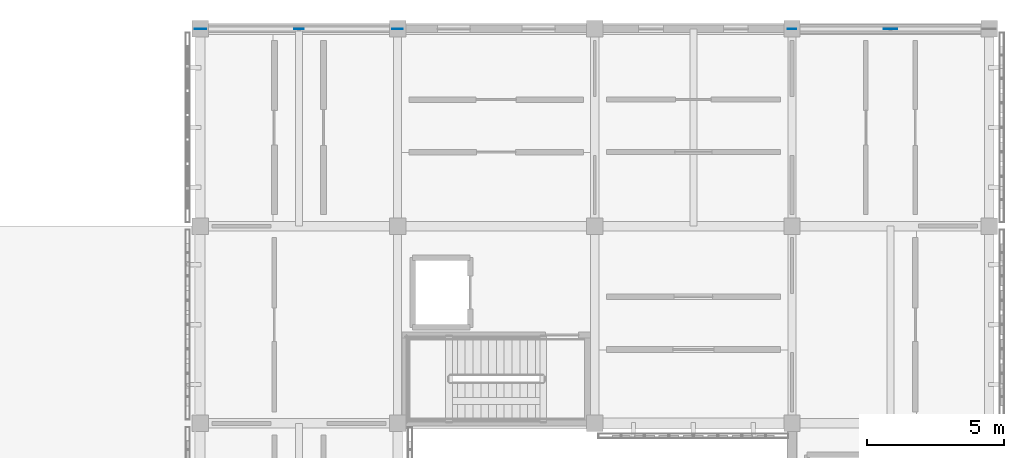
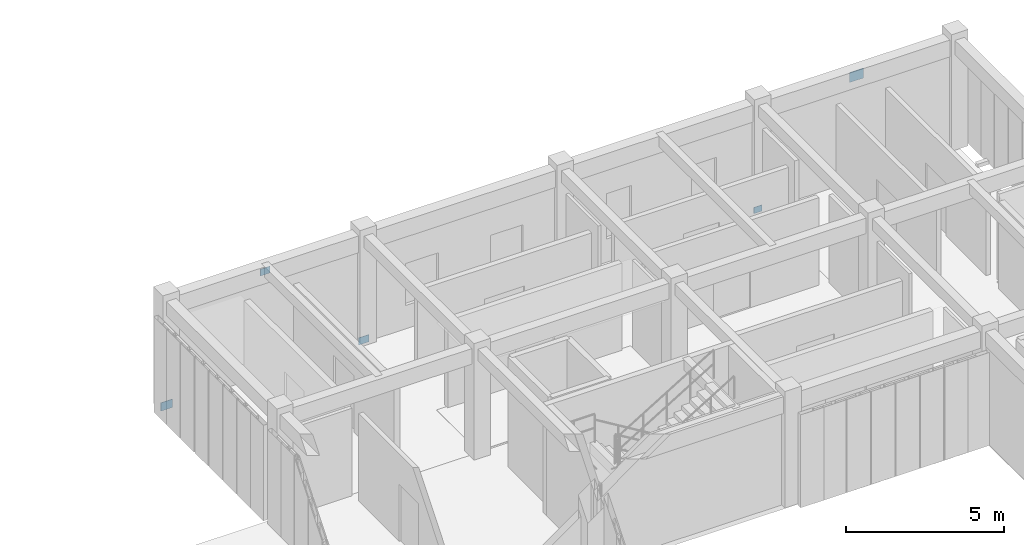
# One storey, part 66 of 91: 5 plates.
"""IFC4 building model written with IfcOpenShell, lengths in metres."""

from ifc_helpers import new_model, si_unit, direction, frame, origin, origin_2d, place, context, subcontext, project, spatial, rectangle, extrude, material, layer, layer_set, type_object, element, save


model = new_model("IFC4")

# Units and contexts
model_context = context("Model", 3, precision=1e-05, world=origin(), true_north=direction((0.0, 1.0)))
body_context = subcontext(model_context, "Body", "Model", "MODEL_VIEW")
ifc_project = project(units=[si_unit("LENGTHUNIT", "METRE"), si_unit("AREAUNIT", "SQUARE_METRE"), si_unit("VOLUMEUNIT", "CUBIC_METRE"), si_unit("PLANEANGLEUNIT", "RADIAN"), si_unit("MASSUNIT", "GRAM", prefix="KILO")], contexts=[model_context])

# Site, building, storey
site_placement = place(None, origin())
site = spatial("IfcSite", under=ifc_project, at=site_placement, CompositionType="ELEMENT")
building_placement = place(site_placement, origin())
building = spatial("IfcBuilding", under=site, at=building_placement, Name="Aldebral Square Health Centre", CompositionType="ELEMENT")
storey_placement = place(building_placement, frame((0.0, 0.0, 9.0)))
storey = spatial("IfcBuildingStorey", under=building, at=storey_placement, Name="L02", CompositionType="ELEMENT", Elevation=9.0)

# Plates
ifc_material = material(Name="Steel S355JR", Category="steel")
ifc_layer_1 = layer(ifc_material, 0.01611328125, Name="Steel S355JR", Category="steel")
ifc_layer_set_1 = layer_set([ifc_layer_1], Name="Steel S355JR")
plate_type_1 = type_object("IfcPlateType", Name="PL-GUS-1", PredefinedType="USERDEFINED", material=ifc_layer_set_1)
plate_1_placement = place(storey_placement, frame((136.800048828125, 115.199951171875, -0.16015625), z_axis=(0.0, 0.0, 1.0), x_axis=(1.0, 0.0, 0.0)))
element("IfcPlate", 1, at=plate_1_placement, inside=storey, type_object=plate_type_1, Name="L02 north chevron brace 20 west base gusset plate", ObjectType="GUSSET_PLATE", PredefinedType="USERDEFINED", context=body_context, shape_type="SweptSolid", body=[
    extrude(rectangle(XDim=0.419921875, YDim=0.01611328125, at=origin_2d()), origin(), (0.0, 0.0, 1.0), 0.320068359375),
])
ifc_layer_2 = layer(ifc_material, 0.01611328125, Name="Steel S355JR", Category="steel")
ifc_layer_set_2 = layer_set([ifc_layer_2], Name="Steel S355JR")
plate_type_2 = type_object("IfcPlateType", Name="PL-GUS-2", PredefinedType="USERDEFINED", material=ifc_layer_set_2)
plate_2_placement = place(storey_placement, frame((144.0, 115.199951171875, -0.14013671875), z_axis=(0.0, 0.0, 1.0), x_axis=(1.0, 0.0, 0.0)))
element("IfcPlate", 2, at=plate_2_placement, inside=storey, type_object=plate_type_2, Name="L02 north chevron brace 20 east base gusset plate", ObjectType="GUSSET_PLATE", PredefinedType="USERDEFINED", context=body_context, shape_type="SweptSolid", body=[
    extrude(rectangle(XDim=0.3798828125, YDim=0.01611328125, at=origin_2d()), origin(), (0.0, 0.0, 1.0), 0.280029296875),
])
ifc_layer_3 = layer(ifc_material, 0.013916015625, Name="Steel S355JR", Category="steel")
ifc_layer_set_3 = layer_set([ifc_layer_3], Name="Steel S355JR")
plate_type_3 = type_object("IfcPlateType", Name="PL-GUS-3", PredefinedType="USERDEFINED", material=ifc_layer_set_3)
plate_3_placement = place(storey_placement, frame((140.39990234375, 115.199951171875, 3.78515625), z_axis=(0.0, 0.0, 1.0), x_axis=(1.0, 0.0, 0.0)))
element("IfcPlate", 3, at=plate_3_placement, inside=storey, type_object=plate_type_3, Name="L02 north chevron brace 20 apex gusset plate", ObjectType="GUSSET_PLATE", PredefinedType="USERDEFINED", context=body_context, shape_type="SweptSolid", body=[
    extrude(rectangle(XDim=0.340087890625, YDim=0.013916015625, at=origin_2d()), origin(), (0.0, 0.0, 1.0), 0.260009765625),
])
ifc_layer_4 = layer(ifc_material, 0.013916015625, Name="Steel S355JR", Category="steel")
ifc_layer_set_4 = layer_set([ifc_layer_4], Name="Steel S355JR")
plate_type_4 = type_object("IfcPlateType", Name="PL-GUS-4", PredefinedType="USERDEFINED", material=ifc_layer_set_4)
plate_4_placement = place(storey_placement, frame((158.39990234375, 115.199951171875, -0.1201171875), z_axis=(0.0, 0.0, 1.0), x_axis=(1.0, 0.0, 0.0)))
element("IfcPlate", 4, at=plate_4_placement, inside=storey, type_object=plate_type_4, Name="L02 north chevron brace 23 west base gusset plate", ObjectType="GUSSET_PLATE", PredefinedType="USERDEFINED", context=body_context, shape_type="SweptSolid", body=[
    extrude(rectangle(XDim=0.300048828125, YDim=0.013916015625, at=origin_2d()), origin(), (0.0, 0.0, 1.0), 0.239990234375),
])
ifc_layer_5 = layer(ifc_material, 0.02001953125, Name="Steel S355JR", Category="steel")
ifc_layer_set_5 = layer_set([ifc_layer_5], Name="Steel S355JR")
plate_type_5 = type_object("IfcPlateType", Name="PL-GUS-6", PredefinedType="USERDEFINED", material=ifc_layer_set_5)
plate_5_placement = place(storey_placement, frame((162.0, 115.199951171875, 3.72509765625), z_axis=(0.0, 0.0, 1.0), x_axis=(1.0, 0.0, 0.0)))
element("IfcPlate", 5, at=plate_5_placement, inside=storey, type_object=plate_type_5, Name="L02 north chevron brace 23 apex gusset plate", ObjectType="GUSSET_PLATE", PredefinedType="USERDEFINED", context=body_context, shape_type="SweptSolid", body=[
    extrude(rectangle(XDim=0.5, YDim=0.02001953125, at=origin_2d()), origin(), (0.0, 0.0, 1.0), 0.3798828125),
])

save(model, "model.ifc")
